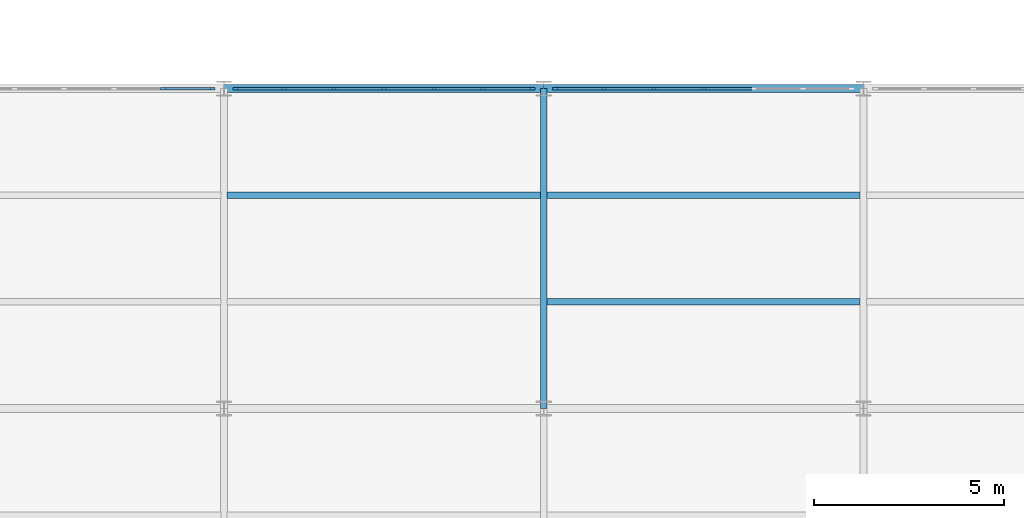
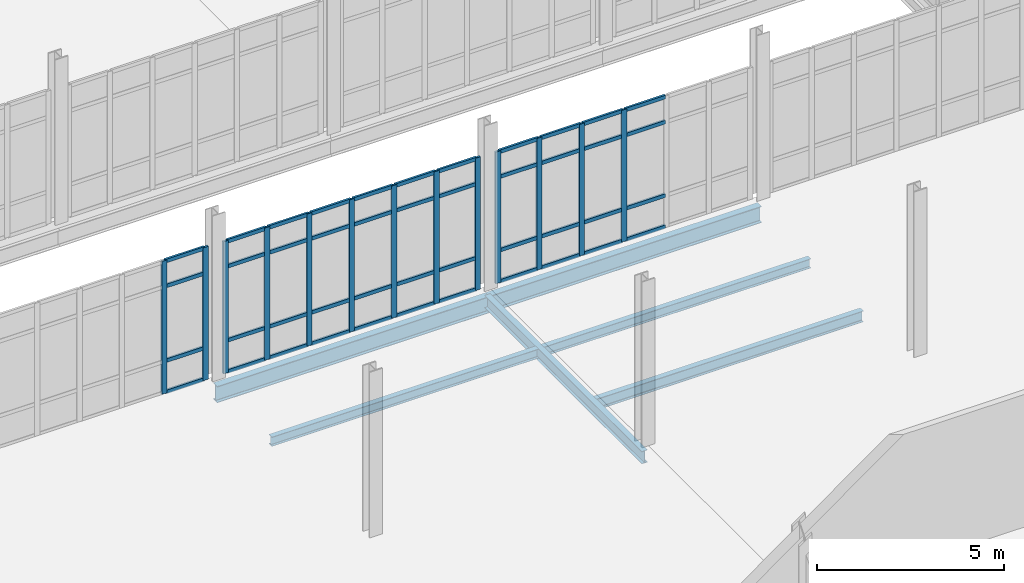
# One storey, part 33 of 111: 57 members, 6 beams, 3 elements without a shape of their own.
"""IFC4 building model written with IfcOpenShell, lengths in metres."""

import ifcopenshell
import ifcopenshell.guid

model = None  # the IFC model being written
_history = None  # IfcOwnerHistory: only IFC2X3 demands one
_inside = {}  # id of a spatial element -> (the spatial element, [elements in it])
_under = {}  # id of a project, library or spatial element -> (it, [spatial elements below it])
_declared = {}  # id of a project -> (the project, [libraries it declares])
_typed = {}  # id of a type object -> (the type object, [elements of that type])
_made_of = {}  # id of a material, layer set ... -> (it, [elements and type objects made of it])


def new_model(schema):
    """Start an empty IFC model of exactly this schema.

    Asked for "IFC4X3", IfcOpenShell would pick the latest addendum, in which some entities
    have other attributes; the version numbers below select the first issue.
    IFC2X3 requires an IfcOwnerHistory on every rooted entity: one is made here for all.
    """
    global model, _history
    if schema == "IFC4X3":
        model = ifcopenshell.file(schema_version=(4, 3, 0, 0))
    else:
        model = ifcopenshell.file(schema=schema)
    _inside.clear()
    _under.clear()
    _declared.clear()
    _typed.clear()
    _made_of.clear()
    _history = None
    if model.schema == "IFC2X3":
        org = make("IfcOrganization", Name="unknown")
        user = make(
            "IfcPersonAndOrganization",
            ThePerson=make("IfcPerson", FamilyName="unknown"),
            TheOrganization=org,
        )
        app = make(
            "IfcApplication",
            ApplicationDeveloper=org,
            Version="unknown",
            ApplicationFullName="unknown",
            ApplicationIdentifier="unknown",
        )
        _history = make(
            "IfcOwnerHistory",
            OwningUser=user,
            OwningApplication=app,
            ChangeAction="ADDED",
            CreationDate=0,
        )
    return model


def make(cls, **values):
    """One entity of the class cls with the attributes given. An attribute that is None is left unset."""
    return model.create_entity(
        cls, **{name: value for name, value in values.items() if value is not None}
    )


def rooted(cls, **values):
    """An entity with a GlobalId (a new one), such as an element, a storey or a relation."""
    return make(cls, GlobalId=ifcopenshell.guid.new(), OwnerHistory=_history, **values)


def si_unit(unit_type, name, prefix=None):
    """IfcSIUnit, for example si_unit("LENGTHUNIT", "METRE", prefix="MILLI")."""
    return make("IfcSIUnit", UnitType=unit_type, Prefix=prefix, Name=name)


def assignment(units):
    """IfcUnitAssignment: the units of a project."""
    return None if units is None else make("IfcUnitAssignment", Units=units)


def point(xyz):
    """IfcCartesianPoint."""
    return None if xyz is None else make("IfcCartesianPoint", Coordinates=xyz)


def direction(xyz):
    """IfcDirection."""
    return None if xyz is None else make("IfcDirection", DirectionRatios=xyz)


def frame(location, z_axis=None, x_axis=None):
    """IfcAxis2Placement3D, a coordinate frame: its origin and axes. An axis left out is left unset."""
    return make(
        "IfcAxis2Placement3D",
        Location=point(location),
        Axis=direction(z_axis),
        RefDirection=direction(x_axis),
    )


def frame_2d(location, x_axis=None):
    """IfcAxis2Placement2D, a coordinate frame in the plane: its origin and x axis."""
    return make(
        "IfcAxis2Placement2D", Location=point(location), RefDirection=direction(x_axis)
    )


def origin():
    """The frame at (0, 0, 0) with its axes left unset."""
    return frame((0.0, 0.0, 0.0))


def origin_2d():
    """The frame at (0, 0) in the plane with its x axis left unset."""
    return frame_2d((0.0, 0.0))


def place(relative_to, where):
    """IfcLocalPlacement: puts the frame where relative to a parent placement (None: the world)."""
    return make(
        "IfcLocalPlacement", PlacementRelTo=relative_to, RelativePlacement=where
    )


def context(
    kind, dimensions, precision=None, world=None, true_north=None, identifier=None
):
    """IfcGeometricRepresentationContext, for example the 3D "Model" context."""
    return make(
        "IfcGeometricRepresentationContext",
        ContextIdentifier=identifier,
        ContextType=kind,
        CoordinateSpaceDimension=dimensions,
        Precision=precision,
        WorldCoordinateSystem=world,
        TrueNorth=true_north,
    )


def subcontext(parent, identifier, kind, view, scale=None):
    """IfcGeometricRepresentationSubContext, for example "Body" below "Model"."""
    return make(
        "IfcGeometricRepresentationSubContext",
        ContextIdentifier=identifier,
        ContextType=kind,
        ParentContext=parent,
        TargetScale=scale,
        TargetView=view,
    )


def project(units=None, contexts=None):
    """IfcProject with its units and contexts."""
    return rooted(
        "IfcProject",
        Name="project",
        RepresentationContexts=contexts,
        UnitsInContext=assignment(units),
    )


def spatial(cls, under=None, at=None, **own):
    """A site, building, storey or space (cls), placed at a placement, below another one or the project."""
    s = rooted(cls, ObjectPlacement=at, **own)
    if under is not None:
        _under.setdefault(under.id(), (under, []))[1].append(s)
    return s


def profile(cls, at=None, kind="AREA", **sizes):
    """A parametric profile (cls). Its sizes go by their IFC names, for example OverallWidth=200.0."""
    return make(cls, ProfileType=kind, Position=at, **sizes)


def rectangle(**sizes):
    """IfcRectangleProfileDef."""
    return profile("IfcRectangleProfileDef", **sizes)


def i_section(**sizes):
    """IfcIShapeProfileDef."""
    return profile("IfcIShapeProfileDef", **sizes)


def extrude(swept, where, along, depth):
    """IfcExtrudedAreaSolid: the profile swept, set in the frame where, extruded along a direction by depth."""
    return make(
        "IfcExtrudedAreaSolid",
        SweptArea=swept,
        Position=where,
        ExtrudedDirection=direction(along),
        Depth=depth,
    )


def shape(context_of_items, identifier, shape_type, items):
    """IfcShapeRepresentation: the items that make up one representation, for example the "Body"."""
    return make(
        "IfcShapeRepresentation",
        ContextOfItems=context_of_items,
        RepresentationIdentifier=identifier,
        RepresentationType=shape_type,
        Items=items,
    )


def material(Name=None, Category=None):
    """IfcMaterial."""
    return make("IfcMaterial", Name=Name, Category=Category)


def layer(
    of_material, thickness, ventilated=None, Name=None, Category=None, Priority=None
):
    """IfcMaterialLayer: one layer of a wall or slab, of a material (None: an air gap)."""
    return make(
        "IfcMaterialLayer",
        Material=of_material,
        LayerThickness=thickness,
        IsVentilated=ventilated,
        Name=Name,
        Category=Category,
        Priority=Priority,
    )


def layer_set(layers, Name=None):
    """IfcMaterialLayerSet."""
    return make("IfcMaterialLayerSet", MaterialLayers=layers, LayerSetName=Name)


def material_profile(
    of_material, cross_section, Name=None, Category=None, Priority=None
):
    """IfcMaterialProfile: a cross section and its material."""
    return make(
        "IfcMaterialProfile",
        Name=Name,
        Material=of_material,
        Profile=cross_section,
        Priority=Priority,
        Category=Category,
    )


def profile_set(profiles, Name=None, composite=None):
    """IfcMaterialProfileSet."""
    return make(
        "IfcMaterialProfileSet",
        Name=Name,
        MaterialProfiles=profiles,
        CompositeProfile=composite,
    )


def made_of(thing, what):
    """Note that an element or type object is made of a material, layer set ...; save() writes the relation."""
    if what is not None:
        _made_of.setdefault(what.id(), (what, []))[1].append(thing)
    return thing


def type_object(cls, material=None, **own):
    """A type object (cls), such as IfcWallType, which elements share."""
    return made_of(rooted(cls, **own), material)


def element(
    cls,
    number,
    at=None,
    inside=None,
    cuts=None,
    type_object=None,
    material=None,
    context=None,
    identifier="Body",
    shape_type=None,
    held_by="IfcProductDefinitionShape",
    body=None,
    shapes=None,
    **own,
):
    """One element of the class cls, such as IfcWall. Its Tag is "e" and its number.

    at: its placement. inside: the storey or other place that contains it. cuts: it is an
    opening in that element (IfcRelVoidsElement). A single representation is given by context,
    identifier, shape_type and body (its items); several are given by shapes. held_by: the class
    of the entity that holds the representations. save() writes the other relations.
    """
    e = rooted(cls, Tag="e%d" % number, ObjectPlacement=at, **own)
    if body is not None:
        shapes = [shape(context, identifier, shape_type, body)]
    if shapes is not None:
        e.Representation = make(held_by, Representations=shapes)
    if inside is not None:
        _inside.setdefault(inside.id(), (inside, []))[1].append(e)
    if cuts is not None:
        rooted(
            "IfcRelVoidsElement", RelatingBuildingElement=cuts, RelatedOpeningElement=e
        )
    if type_object is not None:
        _typed.setdefault(type_object.id(), (type_object, []))[1].append(e)
    return made_of(e, material)


def aggregate(whole, parts):
    """IfcRelAggregates: a whole, such as a stair, and the parts it consists of."""
    return rooted("IfcRelAggregates", RelatingObject=whole, RelatedObjects=parts)


def save(model, path):
    """Write the relations noted so far, then the file.

    IfcRelAggregates (storeys below a building ...), IfcRelContainedInSpatialStructure (elements
    in a storey), IfcRelDefinesByType, IfcRelAssociatesMaterial and IfcRelDeclares: one each for
    every whole, place, type object, material and project.
    """
    for whole, parts in _under.values():
        aggregate(whole, parts)
    for where, things in _inside.values():
        rooted(
            "IfcRelContainedInSpatialStructure",
            RelatedElements=things,
            RelatingStructure=where,
        )
    for kind, things in _typed.values():
        rooted("IfcRelDefinesByType", RelatedObjects=things, RelatingType=kind)
    for what, things in _made_of.values():
        rooted("IfcRelAssociatesMaterial", RelatedObjects=things, RelatingMaterial=what)
    for by, libraries in _declared.values():
        rooted("IfcRelDeclares", RelatingContext=by, RelatedDefinitions=libraries)
    model.write(path)


model = new_model("IFC4")

# Units and contexts
model_context = context("Model", 3, precision=1e-05, world=origin(), true_north=direction((0.0, 1.0)))
body_context = subcontext(model_context, "Body", "Model", "MODEL_VIEW")
ifc_project = project(units=[si_unit("LENGTHUNIT", "METRE"), si_unit("AREAUNIT", "SQUARE_METRE"), si_unit("VOLUMEUNIT", "CUBIC_METRE"), si_unit("PLANEANGLEUNIT", "RADIAN"), si_unit("MASSUNIT", "GRAM", prefix="KILO"), si_unit("THERMODYNAMICTEMPERATUREUNIT", "KELVIN"), si_unit("POWERUNIT", "WATT")], contexts=[model_context])

# Site, building, storey
site_placement = place(None, origin())
site = spatial("IfcSite", under=ifc_project, at=site_placement, CompositionType="ELEMENT")
building_placement = place(site_placement, origin())
building = spatial("IfcBuilding", under=site, at=building_placement, Name="Tembeka Court Mobility Hub", CompositionType="ELEMENT")
storey_placement = place(building_placement, origin())
storey = spatial("IfcBuildingStorey", under=building, at=storey_placement, Name="L00", CompositionType="ELEMENT", Elevation=0.0)

# Beams
ifc_material_1 = material(Name="Steel S355", Category="steel")
ifc_material_profile_1 = material_profile(ifc_material_1, i_section(OverallWidth=0.177978515625, OverallDepth=0.406005859375, WebThickness=0.0078125, FlangeThickness=0.0126953125, FilletRadius=0.01025390625, at=origin_2d()), Name="UKB 406x178x60")
ifc_profile_set_1 = profile_set([ifc_material_profile_1], Name="Steel S355")
beam_type_1 = type_object("IfcBeamType", Name="BM-B02", PredefinedType="BEAM", material=ifc_profile_set_1)
beam_1_placement = place(storey_placement, frame((42.0, 46.800048828125, -0.48291015625), z_axis=(0.0, 1.0, 0.0), x_axis=(-1.0, 0.0, 0.0)))
element("IfcBeam", 1, at=beam_1_placement, inside=storey, type_object=beam_type_1, Name="Beam B02 (BM-L00-Y0214)", PredefinedType="BEAM", context=body_context, shape_type="SweptSolid", body=[
    extrude(i_section(OverallWidth=0.177978515625, OverallDepth=0.406005859375, WebThickness=0.0078125, FlangeThickness=0.0126953125, FilletRadius=0.01025390625, at=origin_2d()), origin(), (0.0, 0.0, 1.0), 8.39990234375),
])
ifc_material_profile_2 = material_profile(ifc_material_1, i_section(OverallWidth=0.2099609375, OverallDepth=0.537109375, WebThickness=0.0107421875, FlangeThickness=0.017333984375, FilletRadius=0.0126953125, at=origin_2d()), Name="UKB 533x210x101")
ifc_profile_set_2 = profile_set([ifc_material_profile_2], Name="Steel S355")
beam_type_2 = type_object("IfcBeamType", Name="BM-G03", PredefinedType="USERDEFINED", material=ifc_profile_set_2)
for number, where, z_axis, x_axis, name in (
    (2, (33.60009765625, 55.199951171875, -0.548583984375), (1.0, 0.0, 0.0), (0.0, 1.0, 0.0), "Beam G03 (BM-L00-X0079)"),
    (3, (42.0, 55.199951171875, -0.548583984375), (1.0, 0.0, 0.0), (0.0, 1.0, 0.0), "Beam G03 (BM-L00-X0080)"),
):
    element("IfcBeam", number, at=place(storey_placement, frame(where, z_axis=z_axis, x_axis=x_axis)), inside=storey, type_object=beam_type_2, Name=name, ObjectType="GIRDER", PredefinedType="USERDEFINED", context=body_context, shape_type="SweptSolid", body=[
        extrude(i_section(OverallWidth=0.2099609375, OverallDepth=0.537109375, WebThickness=0.0107421875, FlangeThickness=0.017333984375, FilletRadius=0.0126953125, at=origin_2d()), origin(), (0.0, 0.0, 1.0), 8.39990234375),
    ])
ifc_material_profile_3 = material_profile(ifc_material_1, i_section(OverallWidth=0.1650390625, OverallDepth=0.303955078125, WebThickness=0.006103515625, FlangeThickness=0.01025390625, FilletRadius=0.0087890625, at=origin_2d()), Name="UKB 305x165x40")
ifc_profile_set_3 = profile_set([ifc_material_profile_3], Name="Steel S355")
beam_type_3 = type_object("IfcBeamType", Name="BM-J02", PredefinedType="JOIST", material=ifc_profile_set_3)
for number, where, z_axis, x_axis, name in (
    (4, (33.68408203125, 52.39990234375, -0.431884765625), (1.0, 0.0, 0.0), (0.0, 1.0, 0.0), "Beam J02 (JST-L00-0404)"),
    (5, (42.083984375, 52.39990234375, -0.431884765625), (1.0, 0.0, 0.0), (0.0, 1.0, 0.0), "Beam J02 (JST-L00-0422)"),
):
    element("IfcBeam", number, at=place(storey_placement, frame(where, z_axis=z_axis, x_axis=x_axis)), inside=storey, type_object=beam_type_3, Name=name, PredefinedType="JOIST", context=body_context, shape_type="SweptSolid", body=[
        extrude(i_section(OverallWidth=0.1650390625, OverallDepth=0.303955078125, WebThickness=0.006103515625, FlangeThickness=0.01025390625, FilletRadius=0.0087890625, at=origin_2d()), origin(), (0.0, 0.0, 1.0), 8.23193359375),
    ])
ifc_material_profile_4 = material_profile(ifc_material_1, i_section(OverallWidth=0.169921875, OverallDepth=0.360107421875, WebThickness=0.008056640625, FlangeThickness=0.0126953125, FilletRadius=0.01806640625, at=origin_2d()), Name="IPE 360")
ifc_profile_set_4 = profile_set([ifc_material_profile_4], Name="Steel S355")
beam_type_4 = type_object("IfcBeamType", Name="BM-J03", PredefinedType="JOIST", material=ifc_profile_set_4)
beam_2_placement = place(storey_placement, frame((42.083984375, 49.60009765625, -0.4599609375), z_axis=(1.0, 0.0, 0.0), x_axis=(0.0, 1.0, 0.0)))
element("IfcBeam", 6, at=beam_2_placement, inside=storey, type_object=beam_type_4, Name="Beam J03 (JST-L00-0421)", PredefinedType="JOIST", context=body_context, shape_type="SweptSolid", body=[
    extrude(i_section(OverallWidth=0.169921875, OverallDepth=0.360107421875, WebThickness=0.008056640625, FlangeThickness=0.0126953125, FilletRadius=0.01806640625, at=origin_2d()), origin(), (0.0, 0.0, 1.0), 8.23193359375),
])

# Curtain wall, members
ifc_material_2 = material(Name="Anodised aluminium 6063-T6", Category="aluminium")
ifc_layer_1 = layer(ifc_material_2, 0.159912109375)
ifc_layer_set_1 = layer_set([ifc_layer_1], Name="Anodised aluminium 6063-T6")
curtain_wall_type_1 = type_object("IfcCurtainWallType", Name="CW-SYS01", PredefinedType="USERDEFINED", material=ifc_layer_set_1)
curtain_wall_1_placement = place(storey_placement, origin())
curtain_wall_1 = element("IfcCurtainWall", 7, at=curtain_wall_1_placement, inside=storey, type_object=curtain_wall_type_1, Name="Unitised curtain wall CW01 (CW-L00-035)", ObjectType="UNITISED GLAZING", PredefinedType="USERDEFINED")
ifc_material_profile_5 = material_profile(ifc_material_2, rectangle(XDim=0.06494140625, YDim=0.159912109375, at=origin_2d()), Name="ALU-MUL 65x160")
ifc_profile_set_5 = profile_set([ifc_material_profile_5], Name="Anodised aluminium 6063-T6")
member_type_1 = type_object("IfcMemberType", Name="CW-MUL01", PredefinedType="MULLION", material=ifc_profile_set_5)
member_1_placement = place(storey_placement, frame((32.013427734375, 55.199951171875, 0.0), z_axis=(0.0, 0.0, 1.0), x_axis=(0.0, 1.0, 0.0)))
member_1 = element("IfcMember", 8, at=member_1_placement, type_object=member_type_1, Name="CW01 mullion 6", PredefinedType="MULLION", context=body_context, shape_type="SweptSolid", body=[
    extrude(rectangle(XDim=0.06494140625, YDim=0.159912109375, at=origin_2d()), origin(), (0.0, 0.0, 1.0), 4.3349609375),
])
member_2_placement = place(storey_placement, frame((33.28759765625, 55.199951171875, 0.0), z_axis=(0.0, 0.0, 1.0), x_axis=(0.0, 1.0, 0.0)))
member_2 = element("IfcMember", 9, at=member_2_placement, type_object=member_type_1, Name="CW01 mullion 7", PredefinedType="MULLION", context=body_context, shape_type="SweptSolid", body=[
    extrude(rectangle(XDim=0.06494140625, YDim=0.159912109375, at=origin_2d()), origin(), (0.0, 0.0, 1.0), 4.3349609375),
])

ifc_layer_2 = layer(ifc_material_2, 0.159912109375)
ifc_layer_set_2 = layer_set([ifc_layer_2], Name="Anodised aluminium 6063-T6")
curtain_wall_type_2 = type_object("IfcCurtainWallType", Name="CW-SYS20", PredefinedType="USERDEFINED", material=ifc_layer_set_2)
curtain_wall_2_placement = place(storey_placement, origin())
curtain_wall_2 = element("IfcCurtainWall", 10, at=curtain_wall_2_placement, inside=storey, type_object=curtain_wall_type_2, Name="Unitised curtain wall CW20 (CW-L00-037)", ObjectType="UNITISED GLAZING", PredefinedType="USERDEFINED")
member_3_placement = place(storey_placement, frame((33.91259765625, 55.199951171875, 0.0), z_axis=(0.0, 0.0, 1.0), x_axis=(0.0, 1.0, 0.0)))
member_3 = element("IfcMember", 11, at=member_3_placement, type_object=member_type_1, Name="CW20 mullion 1", PredefinedType="MULLION", context=body_context, shape_type="SweptSolid", body=[
    extrude(rectangle(XDim=0.06494140625, YDim=0.159912109375, at=origin_2d()), origin(), (0.0, 0.0, 1.0), 4.31494140625),
])
member_4_placement = place(storey_placement, frame((35.186767578125, 55.199951171875, 0.0), z_axis=(0.0, 0.0, 1.0), x_axis=(0.0, 1.0, 0.0)))
member_4 = element("IfcMember", 12, at=member_4_placement, type_object=member_type_1, Name="CW20 mullion 2", PredefinedType="MULLION", context=body_context, shape_type="SweptSolid", body=[
    extrude(rectangle(XDim=0.06494140625, YDim=0.159912109375, at=origin_2d()), origin(), (0.0, 0.0, 1.0), 4.31494140625),
])
member_5_placement = place(storey_placement, frame((36.493408203125, 55.199951171875, 0.0), z_axis=(0.0, 0.0, 1.0), x_axis=(0.0, 1.0, 0.0)))
member_5 = element("IfcMember", 13, at=member_5_placement, type_object=member_type_1, Name="CW20 mullion 3", PredefinedType="MULLION", context=body_context, shape_type="SweptSolid", body=[
    extrude(rectangle(XDim=0.06494140625, YDim=0.159912109375, at=origin_2d()), origin(), (0.0, 0.0, 1.0), 4.31494140625),
])
member_6_placement = place(storey_placement, frame((37.800048828125, 55.199951171875, 0.0), z_axis=(0.0, 0.0, 1.0), x_axis=(0.0, 1.0, 0.0)))
member_6 = element("IfcMember", 14, at=member_6_placement, type_object=member_type_1, Name="CW20 mullion 4", PredefinedType="MULLION", context=body_context, shape_type="SweptSolid", body=[
    extrude(rectangle(XDim=0.06494140625, YDim=0.159912109375, at=origin_2d()), origin(), (0.0, 0.0, 1.0), 4.31494140625),
])
member_7_placement = place(storey_placement, frame((39.106689453125, 55.199951171875, 0.0), z_axis=(0.0, 0.0, 1.0), x_axis=(0.0, 1.0, 0.0)))
member_7 = element("IfcMember", 15, at=member_7_placement, type_object=member_type_1, Name="CW20 mullion 5", PredefinedType="MULLION", context=body_context, shape_type="SweptSolid", body=[
    extrude(rectangle(XDim=0.06494140625, YDim=0.159912109375, at=origin_2d()), origin(), (0.0, 0.0, 1.0), 4.31494140625),
])
member_8_placement = place(storey_placement, frame((40.413330078125, 55.199951171875, 0.0), z_axis=(0.0, 0.0, 1.0), x_axis=(0.0, 1.0, 0.0)))
member_8 = element("IfcMember", 16, at=member_8_placement, type_object=member_type_1, Name="CW20 mullion 6", PredefinedType="MULLION", context=body_context, shape_type="SweptSolid", body=[
    extrude(rectangle(XDim=0.06494140625, YDim=0.159912109375, at=origin_2d()), origin(), (0.0, 0.0, 1.0), 4.31494140625),
])
member_9_placement = place(storey_placement, frame((41.6875, 55.199951171875, 0.0), z_axis=(0.0, 0.0, 1.0), x_axis=(0.0, 1.0, 0.0)))
member_9 = element("IfcMember", 17, at=member_9_placement, type_object=member_type_1, Name="CW20 mullion 7", PredefinedType="MULLION", context=body_context, shape_type="SweptSolid", body=[
    extrude(rectangle(XDim=0.06494140625, YDim=0.159912109375, at=origin_2d()), origin(), (0.0, 0.0, 1.0), 4.31494140625),
])

ifc_layer_3 = layer(ifc_material_2, 0.159912109375)
ifc_layer_set_3 = layer_set([ifc_layer_3], Name="Anodised aluminium 6063-T6")
curtain_wall_type_3 = type_object("IfcCurtainWallType", Name="CW-SYS21", PredefinedType="USERDEFINED", material=ifc_layer_set_3)
curtain_wall_3_placement = place(storey_placement, origin())
curtain_wall_3 = element("IfcCurtainWall", 18, at=curtain_wall_3_placement, inside=storey, type_object=curtain_wall_type_3, Name="Unitised curtain wall CW21 (CW-L00-039)", ObjectType="UNITISED GLAZING", PredefinedType="USERDEFINED")
member_10_placement = place(storey_placement, frame((42.3125, 55.199951171875, 0.0), z_axis=(0.0, 0.0, 1.0), x_axis=(0.0, 1.0, 0.0)))
member_10 = element("IfcMember", 19, at=member_10_placement, type_object=member_type_1, Name="CW21 mullion 1", PredefinedType="MULLION", context=body_context, shape_type="SweptSolid", body=[
    extrude(rectangle(XDim=0.06494140625, YDim=0.159912109375, at=origin_2d()), origin(), (0.0, 0.0, 1.0), 4.294921875),
])
member_11_placement = place(storey_placement, frame((43.586669921875, 55.199951171875, 0.0), z_axis=(0.0, 0.0, 1.0), x_axis=(0.0, 1.0, 0.0)))
member_11 = element("IfcMember", 20, at=member_11_placement, type_object=member_type_1, Name="CW21 mullion 2", PredefinedType="MULLION", context=body_context, shape_type="SweptSolid", body=[
    extrude(rectangle(XDim=0.06494140625, YDim=0.159912109375, at=origin_2d()), origin(), (0.0, 0.0, 1.0), 4.294921875),
])
member_12_placement = place(storey_placement, frame((44.893310546875, 55.199951171875, 0.0), z_axis=(0.0, 0.0, 1.0), x_axis=(0.0, 1.0, 0.0)))
member_12 = element("IfcMember", 21, at=member_12_placement, type_object=member_type_1, Name="CW21 mullion 3", PredefinedType="MULLION", context=body_context, shape_type="SweptSolid", body=[
    extrude(rectangle(XDim=0.06494140625, YDim=0.159912109375, at=origin_2d()), origin(), (0.0, 0.0, 1.0), 4.294921875),
])
member_13_placement = place(storey_placement, frame((46.199951171875, 55.199951171875, 0.0), z_axis=(0.0, 0.0, 1.0), x_axis=(0.0, 1.0, 0.0)))
member_13 = element("IfcMember", 22, at=member_13_placement, type_object=member_type_1, Name="CW21 mullion 4", PredefinedType="MULLION", context=body_context, shape_type="SweptSolid", body=[
    extrude(rectangle(XDim=0.06494140625, YDim=0.159912109375, at=origin_2d()), origin(), (0.0, 0.0, 1.0), 4.294921875),
])

# Member
ifc_material_profile_6 = material_profile(ifc_material_2, rectangle(XDim=0.06494140625, YDim=0.1201171875, at=origin_2d()), Name="ALU-TRN 65x120")
ifc_profile_set_6 = profile_set([ifc_material_profile_6], Name="Anodised aluminium 6063-T6")
member_type_2 = type_object("IfcMemberType", Name="CW-TRN01", PredefinedType="USERDEFINED", material=ifc_profile_set_6)
member_14_placement = place(storey_placement, frame((32.0458984375, 55.199951171875, 0.032470703125), z_axis=(1.0, 0.0, 0.0), x_axis=(0.0, 1.0, 0.0)))
member_14 = element("IfcMember", 23, at=member_14_placement, type_object=member_type_2, Name="CW01 transom 6.1", ObjectType="TRANSOM", PredefinedType="USERDEFINED", context=body_context, shape_type="SweptSolid", body=[
    extrude(rectangle(XDim=0.06494140625, YDim=0.1201171875, at=origin_2d()), origin(), (0.0, 0.0, 1.0), 1.208984375),
])

member_15_placement = place(storey_placement, frame((32.0458984375, 55.199951171875, 1.050048828125), z_axis=(1.0, 0.0, 0.0), x_axis=(0.0, 1.0, 0.0)))
member_15 = element("IfcMember", 24, at=member_15_placement, type_object=member_type_2, Name="CW01 transom 6.2", ObjectType="TRANSOM", PredefinedType="USERDEFINED", context=body_context, shape_type="SweptSolid", body=[
    extrude(rectangle(XDim=0.06494140625, YDim=0.1201171875, at=origin_2d()), origin(), (0.0, 0.0, 1.0), 1.208984375),
])

member_16_placement = place(storey_placement, frame((32.0458984375, 55.199951171875, 3.485107421875), z_axis=(1.0, 0.0, 0.0), x_axis=(0.0, 1.0, 0.0)))
member_16 = element("IfcMember", 25, at=member_16_placement, type_object=member_type_2, Name="CW01 transom 6.3", ObjectType="TRANSOM", PredefinedType="USERDEFINED", context=body_context, shape_type="SweptSolid", body=[
    extrude(rectangle(XDim=0.06494140625, YDim=0.1201171875, at=origin_2d()), origin(), (0.0, 0.0, 1.0), 1.208984375),
])

member_17_placement = place(storey_placement, frame((32.0458984375, 55.199951171875, 4.302490234375), z_axis=(1.0, 0.0, 0.0), x_axis=(0.0, 1.0, 0.0)))
member_17 = element("IfcMember", 26, at=member_17_placement, type_object=member_type_2, Name="CW01 transom 6.4", ObjectType="TRANSOM", PredefinedType="USERDEFINED", context=body_context, shape_type="SweptSolid", body=[
    extrude(rectangle(XDim=0.06494140625, YDim=0.1201171875, at=origin_2d()), origin(), (0.0, 0.0, 1.0), 1.208984375),
])

aggregate(curtain_wall_1, [member_1, member_2, member_14, member_15, member_16, member_17])

member_18_placement = place(storey_placement, frame((33.945068359375, 55.199951171875, 0.032470703125), z_axis=(1.0, 0.0, 0.0), x_axis=(0.0, 1.0, 0.0)))
member_18 = element("IfcMember", 27, at=member_18_placement, type_object=member_type_2, Name="CW20 transom 1.1", ObjectType="TRANSOM", PredefinedType="USERDEFINED", context=body_context, shape_type="SweptSolid", body=[
    extrude(rectangle(XDim=0.06494140625, YDim=0.1201171875, at=origin_2d()), origin(), (0.0, 0.0, 1.0), 1.208984375),
])

member_19_placement = place(storey_placement, frame((33.945068359375, 55.199951171875, 1.050048828125), z_axis=(1.0, 0.0, 0.0), x_axis=(0.0, 1.0, 0.0)))
member_19 = element("IfcMember", 28, at=member_19_placement, type_object=member_type_2, Name="CW20 transom 1.2", ObjectType="TRANSOM", PredefinedType="USERDEFINED", context=body_context, shape_type="SweptSolid", body=[
    extrude(rectangle(XDim=0.06494140625, YDim=0.1201171875, at=origin_2d()), origin(), (0.0, 0.0, 1.0), 1.208984375),
])

member_20_placement = place(storey_placement, frame((33.945068359375, 55.199951171875, 3.465087890625), z_axis=(1.0, 0.0, 0.0), x_axis=(0.0, 1.0, 0.0)))
member_20 = element("IfcMember", 29, at=member_20_placement, type_object=member_type_2, Name="CW20 transom 1.3", ObjectType="TRANSOM", PredefinedType="USERDEFINED", context=body_context, shape_type="SweptSolid", body=[
    extrude(rectangle(XDim=0.06494140625, YDim=0.1201171875, at=origin_2d()), origin(), (0.0, 0.0, 1.0), 1.208984375),
])

member_21_placement = place(storey_placement, frame((33.945068359375, 55.199951171875, 4.282470703125), z_axis=(1.0, 0.0, 0.0), x_axis=(0.0, 1.0, 0.0)))
member_21 = element("IfcMember", 30, at=member_21_placement, type_object=member_type_2, Name="CW20 transom 1.4", ObjectType="TRANSOM", PredefinedType="USERDEFINED", context=body_context, shape_type="SweptSolid", body=[
    extrude(rectangle(XDim=0.06494140625, YDim=0.1201171875, at=origin_2d()), origin(), (0.0, 0.0, 1.0), 1.208984375),
])

member_22_placement = place(storey_placement, frame((35.21923828125, 55.199951171875, 0.032470703125), z_axis=(1.0, 0.0, 0.0), x_axis=(0.0, 1.0, 0.0)))
member_22 = element("IfcMember", 31, at=member_22_placement, type_object=member_type_2, Name="CW20 transom 2.1", ObjectType="TRANSOM", PredefinedType="USERDEFINED", context=body_context, shape_type="SweptSolid", body=[
    extrude(rectangle(XDim=0.06494140625, YDim=0.1201171875, at=origin_2d()), origin(), (0.0, 0.0, 1.0), 1.24169921875),
])

member_23_placement = place(storey_placement, frame((35.21923828125, 55.199951171875, 1.050048828125), z_axis=(1.0, 0.0, 0.0), x_axis=(0.0, 1.0, 0.0)))
member_23 = element("IfcMember", 32, at=member_23_placement, type_object=member_type_2, Name="CW20 transom 2.2", ObjectType="TRANSOM", PredefinedType="USERDEFINED", context=body_context, shape_type="SweptSolid", body=[
    extrude(rectangle(XDim=0.06494140625, YDim=0.1201171875, at=origin_2d()), origin(), (0.0, 0.0, 1.0), 1.24169921875),
])

member_24_placement = place(storey_placement, frame((35.21923828125, 55.199951171875, 3.465087890625), z_axis=(1.0, 0.0, 0.0), x_axis=(0.0, 1.0, 0.0)))
member_24 = element("IfcMember", 33, at=member_24_placement, type_object=member_type_2, Name="CW20 transom 2.3", ObjectType="TRANSOM", PredefinedType="USERDEFINED", context=body_context, shape_type="SweptSolid", body=[
    extrude(rectangle(XDim=0.06494140625, YDim=0.1201171875, at=origin_2d()), origin(), (0.0, 0.0, 1.0), 1.24169921875),
])

member_25_placement = place(storey_placement, frame((35.21923828125, 55.199951171875, 4.282470703125), z_axis=(1.0, 0.0, 0.0), x_axis=(0.0, 1.0, 0.0)))
member_25 = element("IfcMember", 34, at=member_25_placement, type_object=member_type_2, Name="CW20 transom 2.4", ObjectType="TRANSOM", PredefinedType="USERDEFINED", context=body_context, shape_type="SweptSolid", body=[
    extrude(rectangle(XDim=0.06494140625, YDim=0.1201171875, at=origin_2d()), origin(), (0.0, 0.0, 1.0), 1.24169921875),
])

member_26_placement = place(storey_placement, frame((36.52587890625, 55.199951171875, 0.032470703125), z_axis=(1.0, 0.0, 0.0), x_axis=(0.0, 1.0, 0.0)))
member_26 = element("IfcMember", 35, at=member_26_placement, type_object=member_type_2, Name="CW20 transom 3.1", ObjectType="TRANSOM", PredefinedType="USERDEFINED", context=body_context, shape_type="SweptSolid", body=[
    extrude(rectangle(XDim=0.06494140625, YDim=0.1201171875, at=origin_2d()), origin(), (0.0, 0.0, 1.0), 1.24169921875),
])

member_27_placement = place(storey_placement, frame((36.52587890625, 55.199951171875, 1.050048828125), z_axis=(1.0, 0.0, 0.0), x_axis=(0.0, 1.0, 0.0)))
member_27 = element("IfcMember", 36, at=member_27_placement, type_object=member_type_2, Name="CW20 transom 3.2", ObjectType="TRANSOM", PredefinedType="USERDEFINED", context=body_context, shape_type="SweptSolid", body=[
    extrude(rectangle(XDim=0.06494140625, YDim=0.1201171875, at=origin_2d()), origin(), (0.0, 0.0, 1.0), 1.24169921875),
])

member_28_placement = place(storey_placement, frame((36.52587890625, 55.199951171875, 3.465087890625), z_axis=(1.0, 0.0, 0.0), x_axis=(0.0, 1.0, 0.0)))
member_28 = element("IfcMember", 37, at=member_28_placement, type_object=member_type_2, Name="CW20 transom 3.3", ObjectType="TRANSOM", PredefinedType="USERDEFINED", context=body_context, shape_type="SweptSolid", body=[
    extrude(rectangle(XDim=0.06494140625, YDim=0.1201171875, at=origin_2d()), origin(), (0.0, 0.0, 1.0), 1.24169921875),
])

member_29_placement = place(storey_placement, frame((36.52587890625, 55.199951171875, 4.282470703125), z_axis=(1.0, 0.0, 0.0), x_axis=(0.0, 1.0, 0.0)))
member_29 = element("IfcMember", 38, at=member_29_placement, type_object=member_type_2, Name="CW20 transom 3.4", ObjectType="TRANSOM", PredefinedType="USERDEFINED", context=body_context, shape_type="SweptSolid", body=[
    extrude(rectangle(XDim=0.06494140625, YDim=0.1201171875, at=origin_2d()), origin(), (0.0, 0.0, 1.0), 1.24169921875),
])

member_30_placement = place(storey_placement, frame((37.83251953125, 55.199951171875, 0.032470703125), z_axis=(1.0, 0.0, 0.0), x_axis=(0.0, 1.0, 0.0)))
member_30 = element("IfcMember", 39, at=member_30_placement, type_object=member_type_2, Name="CW20 transom 4.1", ObjectType="TRANSOM", PredefinedType="USERDEFINED", context=body_context, shape_type="SweptSolid", body=[
    extrude(rectangle(XDim=0.06494140625, YDim=0.1201171875, at=origin_2d()), origin(), (0.0, 0.0, 1.0), 1.24169921875),
])

member_31_placement = place(storey_placement, frame((37.83251953125, 55.199951171875, 1.050048828125), z_axis=(1.0, 0.0, 0.0), x_axis=(0.0, 1.0, 0.0)))
member_31 = element("IfcMember", 40, at=member_31_placement, type_object=member_type_2, Name="CW20 transom 4.2", ObjectType="TRANSOM", PredefinedType="USERDEFINED", context=body_context, shape_type="SweptSolid", body=[
    extrude(rectangle(XDim=0.06494140625, YDim=0.1201171875, at=origin_2d()), origin(), (0.0, 0.0, 1.0), 1.24169921875),
])

member_32_placement = place(storey_placement, frame((37.83251953125, 55.199951171875, 3.465087890625), z_axis=(1.0, 0.0, 0.0), x_axis=(0.0, 1.0, 0.0)))
member_32 = element("IfcMember", 41, at=member_32_placement, type_object=member_type_2, Name="CW20 transom 4.3", ObjectType="TRANSOM", PredefinedType="USERDEFINED", context=body_context, shape_type="SweptSolid", body=[
    extrude(rectangle(XDim=0.06494140625, YDim=0.1201171875, at=origin_2d()), origin(), (0.0, 0.0, 1.0), 1.24169921875),
])

member_33_placement = place(storey_placement, frame((37.83251953125, 55.199951171875, 4.282470703125), z_axis=(1.0, 0.0, 0.0), x_axis=(0.0, 1.0, 0.0)))
member_33 = element("IfcMember", 42, at=member_33_placement, type_object=member_type_2, Name="CW20 transom 4.4", ObjectType="TRANSOM", PredefinedType="USERDEFINED", context=body_context, shape_type="SweptSolid", body=[
    extrude(rectangle(XDim=0.06494140625, YDim=0.1201171875, at=origin_2d()), origin(), (0.0, 0.0, 1.0), 1.24169921875),
])

member_34_placement = place(storey_placement, frame((39.13916015625, 55.199951171875, 0.032470703125), z_axis=(1.0, 0.0, 0.0), x_axis=(0.0, 1.0, 0.0)))
member_34 = element("IfcMember", 43, at=member_34_placement, type_object=member_type_2, Name="CW20 transom 5.1", ObjectType="TRANSOM", PredefinedType="USERDEFINED", context=body_context, shape_type="SweptSolid", body=[
    extrude(rectangle(XDim=0.06494140625, YDim=0.1201171875, at=origin_2d()), origin(), (0.0, 0.0, 1.0), 1.24169921875),
])

member_35_placement = place(storey_placement, frame((39.13916015625, 55.199951171875, 1.050048828125), z_axis=(1.0, 0.0, 0.0), x_axis=(0.0, 1.0, 0.0)))
member_35 = element("IfcMember", 44, at=member_35_placement, type_object=member_type_2, Name="CW20 transom 5.2", ObjectType="TRANSOM", PredefinedType="USERDEFINED", context=body_context, shape_type="SweptSolid", body=[
    extrude(rectangle(XDim=0.06494140625, YDim=0.1201171875, at=origin_2d()), origin(), (0.0, 0.0, 1.0), 1.24169921875),
])

member_36_placement = place(storey_placement, frame((39.13916015625, 55.199951171875, 3.465087890625), z_axis=(1.0, 0.0, 0.0), x_axis=(0.0, 1.0, 0.0)))
member_36 = element("IfcMember", 45, at=member_36_placement, type_object=member_type_2, Name="CW20 transom 5.3", ObjectType="TRANSOM", PredefinedType="USERDEFINED", context=body_context, shape_type="SweptSolid", body=[
    extrude(rectangle(XDim=0.06494140625, YDim=0.1201171875, at=origin_2d()), origin(), (0.0, 0.0, 1.0), 1.24169921875),
])

member_37_placement = place(storey_placement, frame((39.13916015625, 55.199951171875, 4.282470703125), z_axis=(1.0, 0.0, 0.0), x_axis=(0.0, 1.0, 0.0)))
member_37 = element("IfcMember", 46, at=member_37_placement, type_object=member_type_2, Name="CW20 transom 5.4", ObjectType="TRANSOM", PredefinedType="USERDEFINED", context=body_context, shape_type="SweptSolid", body=[
    extrude(rectangle(XDim=0.06494140625, YDim=0.1201171875, at=origin_2d()), origin(), (0.0, 0.0, 1.0), 1.24169921875),
])

member_38_placement = place(storey_placement, frame((40.44580078125, 55.199951171875, 0.032470703125), z_axis=(1.0, 0.0, 0.0), x_axis=(0.0, 1.0, 0.0)))
member_38 = element("IfcMember", 47, at=member_38_placement, type_object=member_type_2, Name="CW20 transom 6.1", ObjectType="TRANSOM", PredefinedType="USERDEFINED", context=body_context, shape_type="SweptSolid", body=[
    extrude(rectangle(XDim=0.06494140625, YDim=0.1201171875, at=origin_2d()), origin(), (0.0, 0.0, 1.0), 1.209228515625),
])

member_39_placement = place(storey_placement, frame((40.44580078125, 55.199951171875, 1.050048828125), z_axis=(1.0, 0.0, 0.0), x_axis=(0.0, 1.0, 0.0)))
member_39 = element("IfcMember", 48, at=member_39_placement, type_object=member_type_2, Name="CW20 transom 6.2", ObjectType="TRANSOM", PredefinedType="USERDEFINED", context=body_context, shape_type="SweptSolid", body=[
    extrude(rectangle(XDim=0.06494140625, YDim=0.1201171875, at=origin_2d()), origin(), (0.0, 0.0, 1.0), 1.209228515625),
])

member_40_placement = place(storey_placement, frame((40.44580078125, 55.199951171875, 3.465087890625), z_axis=(1.0, 0.0, 0.0), x_axis=(0.0, 1.0, 0.0)))
member_40 = element("IfcMember", 49, at=member_40_placement, type_object=member_type_2, Name="CW20 transom 6.3", ObjectType="TRANSOM", PredefinedType="USERDEFINED", context=body_context, shape_type="SweptSolid", body=[
    extrude(rectangle(XDim=0.06494140625, YDim=0.1201171875, at=origin_2d()), origin(), (0.0, 0.0, 1.0), 1.209228515625),
])

member_41_placement = place(storey_placement, frame((40.44580078125, 55.199951171875, 4.282470703125), z_axis=(1.0, 0.0, 0.0), x_axis=(0.0, 1.0, 0.0)))
member_41 = element("IfcMember", 50, at=member_41_placement, type_object=member_type_2, Name="CW20 transom 6.4", ObjectType="TRANSOM", PredefinedType="USERDEFINED", context=body_context, shape_type="SweptSolid", body=[
    extrude(rectangle(XDim=0.06494140625, YDim=0.1201171875, at=origin_2d()), origin(), (0.0, 0.0, 1.0), 1.209228515625),
])

aggregate(curtain_wall_2, [member_3, member_4, member_5, member_6, member_7, member_8, member_9, member_18, member_19, member_20, member_21, member_22, member_23, member_24, member_25, member_26, member_27, member_28, member_29, member_30, member_31, member_32, member_33, member_34, member_35, member_36, member_37, member_38, member_39, member_40, member_41])

member_42_placement = place(storey_placement, frame((42.344970703125, 55.199951171875, 0.032470703125), z_axis=(1.0, 0.0, 0.0), x_axis=(0.0, 1.0, 0.0)))
member_42 = element("IfcMember", 51, at=member_42_placement, type_object=member_type_2, Name="CW21 transom 1.1", ObjectType="TRANSOM", PredefinedType="USERDEFINED", context=body_context, shape_type="SweptSolid", body=[
    extrude(rectangle(XDim=0.06494140625, YDim=0.1201171875, at=origin_2d()), origin(), (0.0, 0.0, 1.0), 1.209228515625),
])

member_43_placement = place(storey_placement, frame((42.344970703125, 55.199951171875, 1.050048828125), z_axis=(1.0, 0.0, 0.0), x_axis=(0.0, 1.0, 0.0)))
member_43 = element("IfcMember", 52, at=member_43_placement, type_object=member_type_2, Name="CW21 transom 1.2", ObjectType="TRANSOM", PredefinedType="USERDEFINED", context=body_context, shape_type="SweptSolid", body=[
    extrude(rectangle(XDim=0.06494140625, YDim=0.1201171875, at=origin_2d()), origin(), (0.0, 0.0, 1.0), 1.209228515625),
])

member_44_placement = place(storey_placement, frame((42.344970703125, 55.199951171875, 3.445068359375), z_axis=(1.0, 0.0, 0.0), x_axis=(0.0, 1.0, 0.0)))
member_44 = element("IfcMember", 53, at=member_44_placement, type_object=member_type_2, Name="CW21 transom 1.3", ObjectType="TRANSOM", PredefinedType="USERDEFINED", context=body_context, shape_type="SweptSolid", body=[
    extrude(rectangle(XDim=0.06494140625, YDim=0.1201171875, at=origin_2d()), origin(), (0.0, 0.0, 1.0), 1.209228515625),
])

member_45_placement = place(storey_placement, frame((42.344970703125, 55.199951171875, 4.262451171875), z_axis=(1.0, 0.0, 0.0), x_axis=(0.0, 1.0, 0.0)))
member_45 = element("IfcMember", 54, at=member_45_placement, type_object=member_type_2, Name="CW21 transom 1.4", ObjectType="TRANSOM", PredefinedType="USERDEFINED", context=body_context, shape_type="SweptSolid", body=[
    extrude(rectangle(XDim=0.06494140625, YDim=0.1201171875, at=origin_2d()), origin(), (0.0, 0.0, 1.0), 1.209228515625),
])

member_46_placement = place(storey_placement, frame((43.619140625, 55.199951171875, 0.032470703125), z_axis=(1.0, 0.0, 0.0), x_axis=(0.0, 1.0, 0.0)))
member_46 = element("IfcMember", 55, at=member_46_placement, type_object=member_type_2, Name="CW21 transom 2.1", ObjectType="TRANSOM", PredefinedType="USERDEFINED", context=body_context, shape_type="SweptSolid", body=[
    extrude(rectangle(XDim=0.06494140625, YDim=0.1201171875, at=origin_2d()), origin(), (0.0, 0.0, 1.0), 1.24169921875),
])

member_47_placement = place(storey_placement, frame((43.619140625, 55.199951171875, 1.050048828125), z_axis=(1.0, 0.0, 0.0), x_axis=(0.0, 1.0, 0.0)))
member_47 = element("IfcMember", 56, at=member_47_placement, type_object=member_type_2, Name="CW21 transom 2.2", ObjectType="TRANSOM", PredefinedType="USERDEFINED", context=body_context, shape_type="SweptSolid", body=[
    extrude(rectangle(XDim=0.06494140625, YDim=0.1201171875, at=origin_2d()), origin(), (0.0, 0.0, 1.0), 1.24169921875),
])

member_48_placement = place(storey_placement, frame((43.619140625, 55.199951171875, 3.445068359375), z_axis=(1.0, 0.0, 0.0), x_axis=(0.0, 1.0, 0.0)))
member_48 = element("IfcMember", 57, at=member_48_placement, type_object=member_type_2, Name="CW21 transom 2.3", ObjectType="TRANSOM", PredefinedType="USERDEFINED", context=body_context, shape_type="SweptSolid", body=[
    extrude(rectangle(XDim=0.06494140625, YDim=0.1201171875, at=origin_2d()), origin(), (0.0, 0.0, 1.0), 1.24169921875),
])

member_49_placement = place(storey_placement, frame((43.619140625, 55.199951171875, 4.262451171875), z_axis=(1.0, 0.0, 0.0), x_axis=(0.0, 1.0, 0.0)))
member_49 = element("IfcMember", 58, at=member_49_placement, type_object=member_type_2, Name="CW21 transom 2.4", ObjectType="TRANSOM", PredefinedType="USERDEFINED", context=body_context, shape_type="SweptSolid", body=[
    extrude(rectangle(XDim=0.06494140625, YDim=0.1201171875, at=origin_2d()), origin(), (0.0, 0.0, 1.0), 1.24169921875),
])

member_50_placement = place(storey_placement, frame((44.92578125, 55.199951171875, 0.032470703125), z_axis=(1.0, 0.0, 0.0), x_axis=(0.0, 1.0, 0.0)))
member_50 = element("IfcMember", 59, at=member_50_placement, type_object=member_type_2, Name="CW21 transom 3.1", ObjectType="TRANSOM", PredefinedType="USERDEFINED", context=body_context, shape_type="SweptSolid", body=[
    extrude(rectangle(XDim=0.06494140625, YDim=0.1201171875, at=origin_2d()), origin(), (0.0, 0.0, 1.0), 1.24169921875),
])

member_51_placement = place(storey_placement, frame((44.92578125, 55.199951171875, 1.050048828125), z_axis=(1.0, 0.0, 0.0), x_axis=(0.0, 1.0, 0.0)))
member_51 = element("IfcMember", 60, at=member_51_placement, type_object=member_type_2, Name="CW21 transom 3.2", ObjectType="TRANSOM", PredefinedType="USERDEFINED", context=body_context, shape_type="SweptSolid", body=[
    extrude(rectangle(XDim=0.06494140625, YDim=0.1201171875, at=origin_2d()), origin(), (0.0, 0.0, 1.0), 1.24169921875),
])

member_52_placement = place(storey_placement, frame((44.92578125, 55.199951171875, 3.445068359375), z_axis=(1.0, 0.0, 0.0), x_axis=(0.0, 1.0, 0.0)))
member_52 = element("IfcMember", 61, at=member_52_placement, type_object=member_type_2, Name="CW21 transom 3.3", ObjectType="TRANSOM", PredefinedType="USERDEFINED", context=body_context, shape_type="SweptSolid", body=[
    extrude(rectangle(XDim=0.06494140625, YDim=0.1201171875, at=origin_2d()), origin(), (0.0, 0.0, 1.0), 1.24169921875),
])

member_53_placement = place(storey_placement, frame((44.92578125, 55.199951171875, 4.262451171875), z_axis=(1.0, 0.0, 0.0), x_axis=(0.0, 1.0, 0.0)))
member_53 = element("IfcMember", 62, at=member_53_placement, type_object=member_type_2, Name="CW21 transom 3.4", ObjectType="TRANSOM", PredefinedType="USERDEFINED", context=body_context, shape_type="SweptSolid", body=[
    extrude(rectangle(XDim=0.06494140625, YDim=0.1201171875, at=origin_2d()), origin(), (0.0, 0.0, 1.0), 1.24169921875),
])

member_54_placement = place(storey_placement, frame((46.232421875, 55.199951171875, 0.032470703125), z_axis=(1.0, 0.0, 0.0), x_axis=(0.0, 1.0, 0.0)))
member_54 = element("IfcMember", 63, at=member_54_placement, type_object=member_type_2, Name="CW21 transom 4.1", ObjectType="TRANSOM", PredefinedType="USERDEFINED", context=body_context, shape_type="SweptSolid", body=[
    extrude(rectangle(XDim=0.06494140625, YDim=0.1201171875, at=origin_2d()), origin(), (0.0, 0.0, 1.0), 1.24169921875),
])

member_55_placement = place(storey_placement, frame((46.232421875, 55.199951171875, 1.050048828125), z_axis=(1.0, 0.0, 0.0), x_axis=(0.0, 1.0, 0.0)))
member_55 = element("IfcMember", 64, at=member_55_placement, type_object=member_type_2, Name="CW21 transom 4.2", ObjectType="TRANSOM", PredefinedType="USERDEFINED", context=body_context, shape_type="SweptSolid", body=[
    extrude(rectangle(XDim=0.06494140625, YDim=0.1201171875, at=origin_2d()), origin(), (0.0, 0.0, 1.0), 1.24169921875),
])

member_56_placement = place(storey_placement, frame((46.232421875, 55.199951171875, 3.445068359375), z_axis=(1.0, 0.0, 0.0), x_axis=(0.0, 1.0, 0.0)))
member_56 = element("IfcMember", 65, at=member_56_placement, type_object=member_type_2, Name="CW21 transom 4.3", ObjectType="TRANSOM", PredefinedType="USERDEFINED", context=body_context, shape_type="SweptSolid", body=[
    extrude(rectangle(XDim=0.06494140625, YDim=0.1201171875, at=origin_2d()), origin(), (0.0, 0.0, 1.0), 1.24169921875),
])

member_57_placement = place(storey_placement, frame((46.232421875, 55.199951171875, 4.262451171875), z_axis=(1.0, 0.0, 0.0), x_axis=(0.0, 1.0, 0.0)))
member_57 = element("IfcMember", 66, at=member_57_placement, type_object=member_type_2, Name="CW21 transom 4.4", ObjectType="TRANSOM", PredefinedType="USERDEFINED", context=body_context, shape_type="SweptSolid", body=[
    extrude(rectangle(XDim=0.06494140625, YDim=0.1201171875, at=origin_2d()), origin(), (0.0, 0.0, 1.0), 1.24169921875),
])

aggregate(curtain_wall_3, [member_10, member_11, member_12, member_13, member_42, member_43, member_44, member_45, member_46, member_47, member_48, member_49, member_50, member_51, member_52, member_53, member_54, member_55, member_56, member_57])

save(model, "model.ifc")
